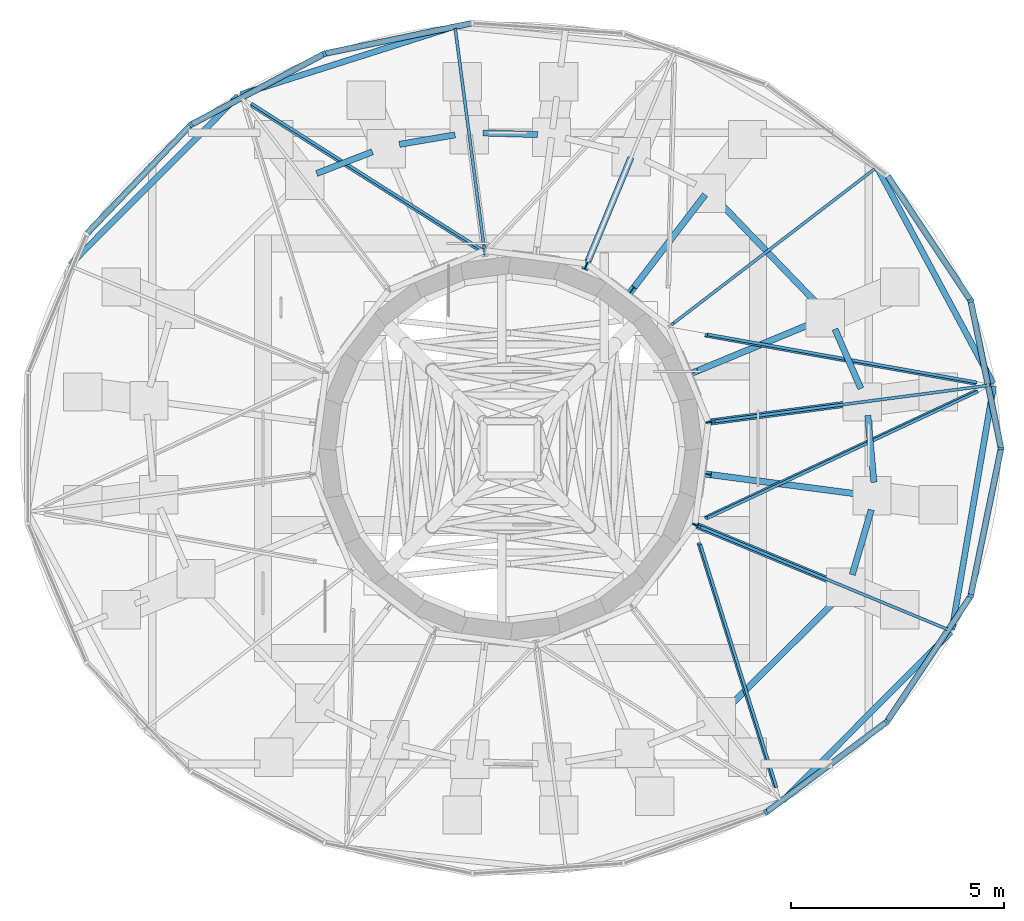
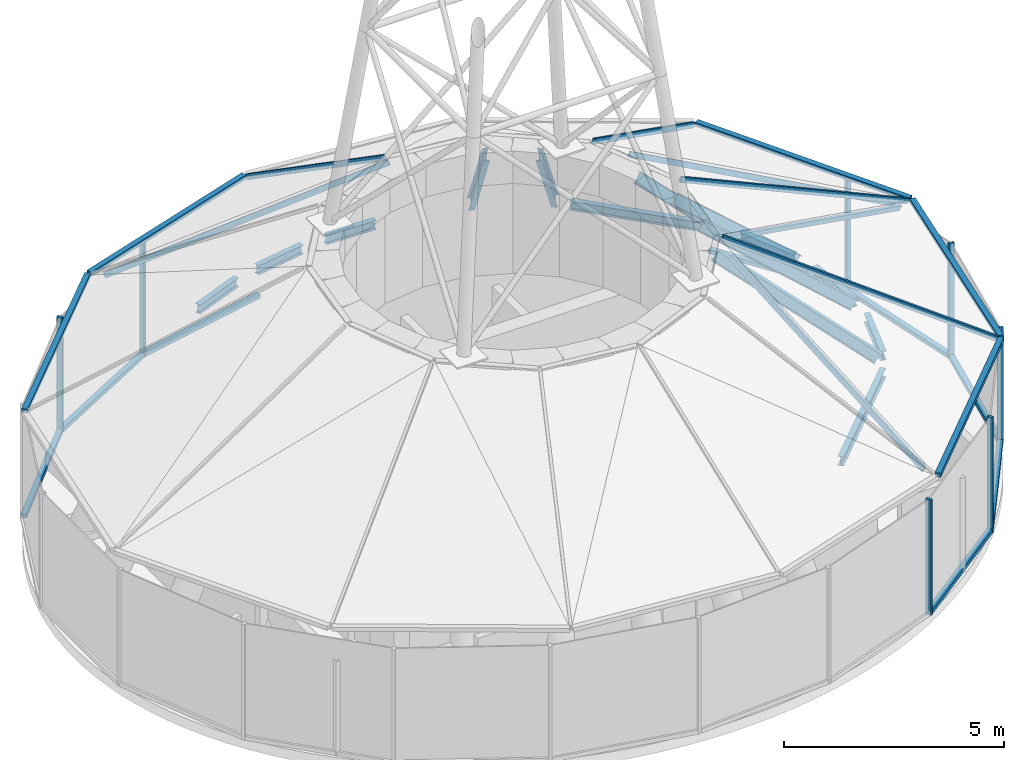
# One storey, part 4 of 10: 34 members, 8 beams, 12 elements without a shape of their own.
"""IFC4 building model written with IfcOpenShell, lengths in metres."""

from ifc_helpers import new_model, si_unit, direction, frame, origin, origin_2d, place, context, subcontext, project, spatial, rectangle, i_section, extrude, source, transform, mapped, material, layer, layer_set, material_profile, profile_set, type_object, element, aggregate, save


model = new_model("IFC4")

# Units and contexts
model_context = context("Model", 3, precision=1e-05, world=origin(), true_north=direction((0.0, 1.0)))
body_context = subcontext(model_context, "Body", "Model", "MODEL_VIEW")
ifc_project = project(units=[si_unit("LENGTHUNIT", "METRE"), si_unit("AREAUNIT", "SQUARE_METRE"), si_unit("VOLUMEUNIT", "CUBIC_METRE"), si_unit("PLANEANGLEUNIT", "RADIAN"), si_unit("MASSUNIT", "GRAM", prefix="KILO")], contexts=[model_context])

# Site, building, storey
site_placement = place(None, origin())
site = spatial("IfcSite", under=ifc_project, at=site_placement, CompositionType="ELEMENT")
building_placement = place(site_placement, origin())
building = spatial("IfcBuilding", under=site, at=building_placement, Name="Spindrift Exchange Tower", CompositionType="ELEMENT")
storey_placement = place(building_placement, frame((0.0, 0.0, 287.10009765625)))
storey = spatial("IfcBuildingStorey", under=building, at=storey_placement, Name="L71", CompositionType="ELEMENT", Elevation=287.10009765625)

# Beams
ifc_material_1 = material(Name="Steel Grade 300", Category="steel")
ifc_material_profile_1 = material_profile(ifc_material_1, i_section(OverallWidth=0.14599609375, OverallDepth=0.251953125, WebThickness=0.006103515625, FlangeThickness=0.008544921875, FilletRadius=0.011962890625, at=origin_2d()), Name="250UB31.4")
ifc_profile_set_1 = profile_set([ifc_material_profile_1], Name="Steel Grade 300")
beam_type = type_object("IfcBeamType", Name="Edge Beam 250UB31.4 Steel Grade 300", PredefinedType="SPANDREL", material=ifc_profile_set_1)
shared_shape_1 = source(origin(), body_context, "Body", "SweptSolid", [
    extrude(i_section(OverallWidth=0.14599609375, OverallDepth=0.251953125, WebThickness=0.006103515625, FlangeThickness=0.008544921875, FilletRadius=0.011962890625, at=origin_2d()), origin(), (0.0, 0.0, 1.0), 1.51904296875),
])
beam_1_placement = place(storey_placement, frame((60.214111328125, 49.4013671875, 3.073974609375), z_axis=(-0.399865903217, 0.916573651948, 0.0), x_axis=(-0.916573651948, -0.399865903217, 0.0)))
element("IfcBeam", 1, at=beam_1_placement, inside=storey, type_object=beam_type, Name="L71 edge beam E01", PredefinedType="SPANDREL", context=body_context, shape_type="MappedRepresentation", body=[
    mapped(shared_shape_1, transform((0.0, 0.0, 0.0), scale=1.0)),
])
shared_shape_2 = source(origin(), body_context, "Body", "SweptSolid", [
    extrude(i_section(OverallWidth=0.14599609375, OverallDepth=0.251953125, WebThickness=0.006103515625, FlangeThickness=0.008544921875, FilletRadius=0.011962890625, at=origin_2d()), origin(), (0.0, 0.0, 1.0), 3.4306640625),
])
beam_2_placement = place(storey_placement, frame((59.24560546875, 51.333740234375, 3.073974609375), z_axis=(-0.69407235193, 0.719905250909, 0.0), x_axis=(-0.719905250909, -0.69407235193, 0.0)))
element("IfcBeam", 2, at=beam_2_placement, inside=storey, type_object=beam_type, Name="L71 edge beam E02", PredefinedType="SPANDREL", context=body_context, shape_type="MappedRepresentation", body=[
    mapped(shared_shape_2, transform((0.0, 0.0, 0.0), scale=1.0)),
])
shared_shape_3 = source(origin(), body_context, "Body", "SweptSolid", [
    extrude(i_section(OverallWidth=0.14599609375, OverallDepth=0.251953125, WebThickness=0.006103515625, FlangeThickness=0.008544921875, FilletRadius=0.011962890625, at=origin_2d()), origin(), (0.0, 0.0, 1.0), 1.28271484375),
])
beam_3_placement = place(storey_placement, frame((52.637451171875, 55.3564453125, 3.073974609375), z_axis=(-0.999575940192, 0.029119405722, 0.0), x_axis=(-0.029119405722, -0.999575940192, 0.0)))
element("IfcBeam", 3, at=beam_3_placement, inside=storey, type_object=beam_type, Name="L71 edge beam E06", PredefinedType="SPANDREL", context=body_context, shape_type="MappedRepresentation", body=[
    mapped(shared_shape_3, transform((0.0, 0.0, 0.0), scale=1.0)),
])
shared_shape_4 = source(origin(), body_context, "Body", "SweptSolid", [
    extrude(i_section(OverallWidth=0.14599609375, OverallDepth=0.251953125, WebThickness=0.006103515625, FlangeThickness=0.008544921875, FilletRadius=0.011962890625, at=origin_2d()), origin(), (0.0, 0.0, 1.0), 1.322509765625),
])
beam_4_placement = place(storey_placement, frame((50.699951171875, 55.348388671875, 3.073974609375), z_axis=(-0.985946289038, -0.167062608421, 0.0), x_axis=(0.167062608421, -0.985946289038, 0.0)))
element("IfcBeam", 4, at=beam_4_placement, inside=storey, type_object=beam_type, Name="L71 edge beam E07", PredefinedType="SPANDREL", context=body_context, shape_type="MappedRepresentation", body=[
    mapped(shared_shape_4, transform((0.0, 0.0, 0.0), scale=1.0)),
])
shared_shape_5 = source(origin(), body_context, "Body", "SweptSolid", [
    extrude(i_section(OverallWidth=0.14599609375, OverallDepth=0.251953125, WebThickness=0.006103515625, FlangeThickness=0.008544921875, FilletRadius=0.011962890625, at=origin_2d()), origin(), (0.0, 0.0, 1.0), 1.4033203125),
])
beam_5_placement = place(storey_placement, frame((48.762939453125, 54.95263671875, 3.073974609375), z_axis=(-0.931903430628, -0.362706487374, 0.0), x_axis=(0.362706487374, -0.931903430628, 0.0)))
element("IfcBeam", 5, at=beam_5_placement, inside=storey, type_object=beam_type, Name="L71 edge beam E08", PredefinedType="SPANDREL", context=body_context, shape_type="MappedRepresentation", body=[
    mapped(shared_shape_5, transform((0.0, 0.0, 0.0), scale=1.0)),
])
shared_shape_6 = source(origin(), body_context, "Body", "SweptSolid", [
    extrude(i_section(OverallWidth=0.14599609375, OverallDepth=0.251953125, WebThickness=0.006103515625, FlangeThickness=0.008544921875, FilletRadius=0.011962890625, at=origin_2d()), origin(), (0.0, 0.0, 1.0), 3.66064453125),
])
beam_6_placement = place(storey_placement, frame((57.08642578125, 41.90869140625, 3.073974609375), z_axis=(0.709703107954, 0.704500886131, 0.0), x_axis=(-0.704500886131, 0.709703107954, 0.0)))
element("IfcBeam", 6, at=beam_6_placement, inside=storey, type_object=beam_type, Name="L71 edge beam E21", PredefinedType="SPANDREL", context=body_context, shape_type="MappedRepresentation", body=[
    mapped(shared_shape_6, transform((0.0, 0.0, 0.0), scale=1.0)),
])
shared_shape_7 = source(origin(), body_context, "Body", "SweptSolid", [
    extrude(i_section(OverallWidth=0.14599609375, OverallDepth=0.251953125, WebThickness=0.006103515625, FlangeThickness=0.008544921875, FilletRadius=0.011962890625, at=origin_2d()), origin(), (0.0, 0.0, 1.0), 1.585205078125),
])
beam_7_placement = place(storey_placement, frame((60.01171875, 45.03662109375, 3.073974609375), z_axis=(0.281832788622, 0.959463537221, 0.0), x_axis=(-0.959463537221, 0.281832788622, 0.0)))
element("IfcBeam", 7, at=beam_7_placement, inside=storey, type_object=beam_type, Name="L71 edge beam E23", PredefinedType="SPANDREL", context=body_context, shape_type="MappedRepresentation", body=[
    mapped(shared_shape_7, transform((0.0, 0.0, 0.0), scale=1.0)),
])
shared_shape_8 = source(origin(), body_context, "Body", "SweptSolid", [
    extrude(i_section(OverallWidth=0.14599609375, OverallDepth=0.251953125, WebThickness=0.006103515625, FlangeThickness=0.008544921875, FilletRadius=0.011962890625, at=origin_2d()), origin(), (0.0, 0.0, 1.0), 1.57421875),
])
beam_8_placement = place(storey_placement, frame((60.52099609375, 47.20263671875, 3.073974609375), z_axis=(-0.091961871933, 0.995762528975, 0.0), x_axis=(-0.995762528975, -0.091961871933, 0.0)))
element("IfcBeam", 8, at=beam_8_placement, inside=storey, type_object=beam_type, Name="L71 edge beam E24", PredefinedType="SPANDREL", context=body_context, shape_type="MappedRepresentation", body=[
    mapped(shared_shape_8, transform((0.0, 0.0, 0.0), scale=1.0)),
])

# Members
ifc_material_profile_2 = material_profile(ifc_material_1, i_section(OverallWidth=0.14892578125, OverallDepth=0.298095703125, WebThickness=0.005615234375, FlangeThickness=0.008056640625, FilletRadius=0.012939453125, at=origin_2d()), Name="310UB32.0")
ifc_profile_set_2 = profile_set([ifc_material_profile_2], Name="Steel Grade 300")
member_type_1 = type_object("IfcMemberType", Name="Crown Rafter 310UB32.0 Steel Grade 300", PredefinedType="RAFTER", material=ifc_profile_set_2)
shared_shape_9 = source(origin(), body_context, "Body", "SweptSolid", [
    extrude(i_section(OverallWidth=0.14892578125, OverallDepth=0.298095703125, WebThickness=0.005615234375, FlangeThickness=0.008056640625, FilletRadius=0.012939453125, at=origin_2d()), origin(), (0.0, 0.0, 1.0), 4.74365234375),
])
member_1_placement = place(storey_placement, frame((60.081787109375, 49.06396484375, 3.25), z_axis=(-0.731876045923, -0.096348238957, 0.674592076928), x_axis=(0.130519440536, -0.991445750226, 0.0)))
element("IfcMember", 9, at=member_1_placement, inside=storey, type_object=member_type_1, Name="Crown rafter 01", PredefinedType="RAFTER", context=body_context, shape_type="MappedRepresentation", body=[
    mapped(shared_shape_9, transform((0.0, 0.0, 0.0), scale=1.0)),
])
shared_shape_10 = source(origin(), body_context, "Body", "SweptSolid", [
    extrude(i_section(OverallWidth=0.14892578125, OverallDepth=0.298095703125, WebThickness=0.005615234375, FlangeThickness=0.008056640625, FilletRadius=0.012939453125, at=origin_2d()), origin(), (0.0, 0.0, 1.0), 4.49365234375),
])
member_2_placement = place(storey_placement, frame((59.210693359375, 50.98681640625, 3.25), z_axis=(-0.64864205002, -0.268660267807, 0.712099116309), x_axis=(0.382663899488, -0.923887623052, 0.0)))
element("IfcMember", 10, at=member_2_placement, inside=storey, type_object=member_type_1, Name="Crown rafter 02", PredefinedType="RAFTER", context=body_context, shape_type="MappedRepresentation", body=[
    mapped(shared_shape_10, transform((0.0, 0.0, 0.0), scale=1.0)),
])
shared_shape_11 = source(origin(), body_context, "Body", "SweptSolid", [
    extrude(i_section(OverallWidth=0.14892578125, OverallDepth=0.298095703125, WebThickness=0.005615234375, FlangeThickness=0.008056640625, FilletRadius=0.012939453125, at=origin_2d()), origin(), (0.0, 0.0, 1.0), 4.21044921875),
])
member_3_placement = place(storey_placement, frame((56.49658203125, 53.860107421875, 3.25), z_axis=(-0.395634671988, -0.515606551856, 0.760015190641), x_axis=(0.793356424583, -0.608757409461, 0.0)))
element("IfcMember", 11, at=member_3_placement, inside=storey, type_object=member_type_1, Name="Crown rafter 04", PredefinedType="RAFTER", context=body_context, shape_type="MappedRepresentation", body=[
    mapped(shared_shape_11, transform((0.0, 0.0, 0.0), scale=1.0)),
])
shared_shape_12 = source(origin(), body_context, "Body", "SweptSolid", [
    extrude(i_section(OverallWidth=0.14892578125, OverallDepth=0.298095703125, WebThickness=0.005615234375, FlangeThickness=0.008056640625, FilletRadius=0.012939453125, at=origin_2d()), origin(), (0.0, 0.0, 1.0), 4.13232421875),
])
member_4_placement = place(storey_placement, frame((54.780029296875, 54.71142578125, 3.25), z_axis=(-0.242117453198, -0.584555900913, 0.774385909973), x_axis=(0.923887092146, -0.382665181283, 0.0)))
element("IfcMember", 12, at=member_4_placement, inside=storey, type_object=member_type_1, Name="Crown rafter 05", PredefinedType="RAFTER", context=body_context, shape_type="MappedRepresentation", body=[
    mapped(shared_shape_12, transform((0.0, 0.0, 0.0), scale=1.0)),
])
shared_shape_13 = source(origin(), body_context, "Body", "SweptSolid", [
    extrude(i_section(OverallWidth=0.14892578125, OverallDepth=0.298095703125, WebThickness=0.005615234375, FlangeThickness=0.008056640625, FilletRadius=0.012939453125, at=origin_2d()), origin(), (0.0, 0.0, 1.0), 4.91650390625),
])
member_5_placement = place(storey_placement, frame((59.744384765625, 44.792236328125, 3.25), z_axis=(-0.701416729195, 0.290498255985, 0.650865066872), x_axis=(-0.382640634603, -0.923897258763, 0.0)))
element("IfcMember", 13, at=member_5_placement, inside=storey, type_object=member_type_1, Name="Crown rafter 23", PredefinedType="RAFTER", context=body_context, shape_type="MappedRepresentation", body=[
    mapped(shared_shape_13, transform((0.0, 0.0, 0.0), scale=1.0)),
])
shared_shape_14 = source(origin(), body_context, "Body", "SweptSolid", [
    extrude(i_section(OverallWidth=0.14892578125, OverallDepth=0.298095703125, WebThickness=0.005615234375, FlangeThickness=0.008056640625, FilletRadius=0.012939453125, at=origin_2d()), origin(), (0.0, 0.0, 1.0), 4.9306640625),
])
member_6_placement = place(storey_placement, frame((60.3291015625, 46.9033203125, 3.25), z_axis=(-0.754273656822, 0.099328625719, 0.649003139235), x_axis=(-0.130560579608, -0.991440333582, 0.0)))
element("IfcMember", 14, at=member_6_placement, inside=storey, type_object=member_type_1, Name="Crown rafter 24", PredefinedType="RAFTER", context=body_context, shape_type="MappedRepresentation", body=[
    mapped(shared_shape_14, transform((0.0, 0.0, 0.0), scale=1.0)),
])

# Curtain wall, members
ifc_material_2 = material(Name="Fritted laminated glass with bronze frame", Category="glass")
ifc_layer = layer(ifc_material_2, 0.139892578125)
ifc_layer_set = layer_set([ifc_layer], Name="CROWN BRONZE HOOD GLAZED ROOF")
curtain_wall_type = type_object("IfcCurtainWallType", Name="CROWN BRONZE HOOD GLAZED ROOF", PredefinedType="NOTDEFINED", material=ifc_layer_set)
curtain_wall_1_placement = place(storey_placement, origin())
curtain_wall_1 = element("IfcCurtainWall", 15, at=curtain_wall_1_placement, inside=storey, type_object=curtain_wall_type, Name="L71 Crown Bronze Hood Glazed Roof run 1", PredefinedType="NOTDEFINED")
ifc_material_3 = material(Name="Bronze anodised aluminium", Category="aluminium")
ifc_material_profile_3 = material_profile(ifc_material_3, rectangle(XDim=0.070068359375, YDim=0.139892578125, at=origin_2d()), Name="CROWN BRONZE HOOD GLAZED ROOF MULLION 70X140")
ifc_profile_set_3 = profile_set([ifc_material_profile_3], Name="Bronze anodised aluminium")
member_type_2 = type_object("IfcMemberType", Name="CROWN BRONZE HOOD GLAZED ROOF MULLION 70X140", PredefinedType="MULLION", material=ifc_profile_set_3)
shared_shape_15 = source(origin(), body_context, "Body", "SweptSolid", [
    extrude(rectangle(XDim=0.070068359375, YDim=0.139892578125, at=origin_2d()), origin(), (0.0, 0.0, 1.0), 3.199951171875),
])
member_7_placement = place(storey_placement, frame((63.5, 48.0, 0.0), z_axis=(0.0, 0.0, 1.0), x_axis=(0.0, 1.0, 0.0)))
member_7 = element("IfcMember", 16, at=member_7_placement, type_object=member_type_2, Name="L71 mullion CW-H.1", PredefinedType="MULLION", context=body_context, shape_type="MappedRepresentation", body=[
    mapped(shared_shape_15, transform((0.0, 0.0, 0.0), scale=1.0)),
])
member_8_placement = place(storey_placement, frame((62.788330078125, 51.462890625, 0.0), z_axis=(0.0, 0.0, 1.0), x_axis=(-0.384780222568, 0.923008223322, 0.0)))
member_8 = element("IfcMember", 17, at=member_8_placement, type_object=member_type_2, Name="L71 mullion CW-H.2", PredefinedType="MULLION", context=body_context, shape_type="MappedRepresentation", body=[
    mapped(shared_shape_15, transform((0.0, 0.0, 0.0), scale=1.0)),
])

curtain_wall_2_placement = place(storey_placement, origin())
curtain_wall_2 = element("IfcCurtainWall", 18, at=curtain_wall_2_placement, inside=storey, type_object=curtain_wall_type, Name="L71 Crown Bronze Hood Glazed Roof run 2", PredefinedType="NOTDEFINED")
member_9_placement = place(storey_placement, frame((47.63623046875, 57.252197265625, 0.0), z_axis=(0.0, 0.0, 1.0), x_axis=(-0.940549893905, -0.339655556519, 0.0)))
member_9 = element("IfcMember", 19, at=member_9_placement, type_object=member_type_2, Name="L71 mullion CW-H.7", PredefinedType="MULLION", context=body_context, shape_type="MappedRepresentation", body=[
    mapped(shared_shape_15, transform((0.0, 0.0, 0.0), scale=1.0)),
])
member_10_placement = place(storey_placement, frame((44.506103515625, 55.585205078125, 0.0), z_axis=(0.0, 0.0, 1.0), x_axis=(-0.797007145655, -0.60396987489, 0.0)))
member_10 = element("IfcMember", 20, at=member_10_placement, type_object=member_type_2, Name="L71 mullion CW-H.8", PredefinedType="MULLION", context=body_context, shape_type="MappedRepresentation", body=[
    mapped(shared_shape_15, transform((0.0, 0.0, 0.0), scale=1.0)),
])

curtain_wall_3_placement = place(storey_placement, origin())
curtain_wall_3 = element("IfcCurtainWall", 21, at=curtain_wall_3_placement, inside=storey, type_object=curtain_wall_type, Name="L71 Crown Bronze Hood Glazed Roof run 3", PredefinedType="NOTDEFINED")
member_11_placement = place(storey_placement, frame((57.9912109375, 39.46435546875, 0.0), z_axis=(0.0, 0.0, 1.0), x_axis=(0.8807084091, 0.473658841511, 0.0)))
member_11 = element("IfcMember", 22, at=member_11_placement, type_object=member_type_2, Name="L71 mullion CW-H.17", PredefinedType="MULLION", context=body_context, shape_type="MappedRepresentation", body=[
    mapped(shared_shape_15, transform((0.0, 0.0, 0.0), scale=1.0)),
])
member_12_placement = place(storey_placement, frame((60.8271484375, 41.59033203125, 0.0), z_axis=(0.0, 0.0, 1.0), x_axis=(0.687018315312, 0.726640099654, 0.0)))
member_12 = element("IfcMember", 23, at=member_12_placement, type_object=member_type_2, Name="L71 mullion CW-H.18", PredefinedType="MULLION", context=body_context, shape_type="MappedRepresentation", body=[
    mapped(shared_shape_15, transform((0.0, 0.0, 0.0), scale=1.0)),
])
member_13_placement = place(storey_placement, frame((62.788330078125, 44.537109375, 0.0), z_axis=(0.0, 0.0, 1.0), x_axis=(0.384780222568, 0.923008223322, 0.0)))
member_13 = element("IfcMember", 24, at=member_13_placement, type_object=member_type_2, Name="L71 mullion CW-H.19", PredefinedType="MULLION", context=body_context, shape_type="MappedRepresentation", body=[
    mapped(shared_shape_15, transform((0.0, 0.0, 0.0), scale=1.0)),
])

# Member
ifc_material_profile_4 = material_profile(ifc_material_3, rectangle(XDim=0.139892578125, YDim=0.110107421875, at=origin_2d()), Name="CROWN BRONZE HOOD GLAZED ROOF TRANSOM 140X110")
ifc_profile_set_4 = profile_set([ifc_material_profile_4], Name="Bronze anodised aluminium")
member_type_3 = type_object("IfcMemberType", Name="CROWN BRONZE HOOD GLAZED ROOF TRANSOM 140X110", PredefinedType="USERDEFINED", material=ifc_profile_set_4)
shared_shape_16 = source(origin(), body_context, "Body", "SweptSolid", [
    extrude(rectangle(XDim=0.139892578125, YDim=0.110107421875, at=origin_2d()), origin(), (0.0, 0.0, 1.0), 3.46533203125),
])
member_14_placement = place(storey_placement, frame((63.492919921875, 48.0341796875, 0.054931640625), z_axis=(-0.20127522432, 0.979534728366, 0.0), x_axis=(-0.979534728366, -0.20127522432, 0.0)))
member_14 = element("IfcMember", 25, at=member_14_placement, type_object=member_type_3, Name="L71 transom CW-H.1", ObjectType="TRANSOM", PredefinedType="USERDEFINED", context=body_context, shape_type="MappedRepresentation", body=[
    mapped(shared_shape_16, transform((0.0, 0.0, 0.0), scale=1.0)),
])

member_15_placement = place(storey_placement, frame((62.79541015625, 44.5712890625, 0.054931640625), z_axis=(0.20127522432, 0.979534728366, 0.0), x_axis=(-0.979534728366, 0.20127522432, 0.0)))
member_15 = element("IfcMember", 26, at=member_15_placement, type_object=member_type_3, Name="L71 transom CW-H.19", ObjectType="TRANSOM", PredefinedType="USERDEFINED", context=body_context, shape_type="MappedRepresentation", body=[
    mapped(shared_shape_16, transform((0.0, 0.0, 0.0), scale=1.0)),
])

shared_shape_17 = source(origin(), body_context, "Body", "SweptSolid", [
    extrude(rectangle(XDim=0.139892578125, YDim=0.110107421875, at=origin_2d()), origin(), (0.0, 0.0, 1.0), 3.469482421875),
])
member_16_placement = place(storey_placement, frame((62.76904296875, 51.4921875, 0.054931640625), z_axis=(-0.554131726589, 0.832428993721, 0.0), x_axis=(-0.832428993721, -0.554131726589, 0.0)))
member_16 = element("IfcMember", 27, at=member_16_placement, type_object=member_type_3, Name="L71 transom CW-H.2", ObjectType="TRANSOM", PredefinedType="USERDEFINED", context=body_context, shape_type="MappedRepresentation", body=[
    mapped(shared_shape_17, transform((0.0, 0.0, 0.0), scale=1.0)),
])

member_17_placement = place(storey_placement, frame((60.846435546875, 41.61962890625, 0.054931640625), z_axis=(0.554131726589, 0.832428993721, 0.0), x_axis=(-0.832428993721, 0.554131726589, 0.0)))
member_17 = element("IfcMember", 28, at=member_17_placement, type_object=member_type_3, Name="L71 transom CW-H.18", ObjectType="TRANSOM", PredefinedType="USERDEFINED", context=body_context, shape_type="MappedRepresentation", body=[
    mapped(shared_shape_17, transform((0.0, 0.0, 0.0), scale=1.0)),
])

shared_shape_18 = source(origin(), body_context, "Body", "SweptSolid", [
    extrude(rectangle(XDim=0.139892578125, YDim=0.110107421875, at=origin_2d()), origin(), (0.0, 0.0, 1.0), 3.47412109375),
])
member_18_placement = place(storey_placement, frame((58.019287109375, 39.4853515625, 0.054931640625), z_axis=(0.800118041629, 0.599842578899, 0.0), x_axis=(-0.599842578899, 0.800118041629, 0.0)))
member_18 = element("IfcMember", 29, at=member_18_placement, type_object=member_type_3, Name="L71 transom CW-H.17", ObjectType="TRANSOM", PredefinedType="USERDEFINED", context=body_context, shape_type="MappedRepresentation", body=[
    mapped(shared_shape_18, transform((0.0, 0.0, 0.0), scale=1.0)),
])

aggregate(curtain_wall_3, [member_11, member_18, member_12, member_17, member_13, member_15])

shared_shape_19 = source(origin(), body_context, "Body", "SweptSolid", [
    extrude(rectangle(XDim=0.139892578125, YDim=0.110107421875, at=origin_2d()), origin(), (0.0, 0.0, 1.0), 3.47802734375),
])
member_19_placement = place(storey_placement, frame((51.076416015625, 57.963134765625, 0.054931640625), z_axis=(-0.979307937099, -0.202375799775, 0.0), x_axis=(0.202375799775, -0.979307937099, 0.0)))
member_19 = element("IfcMember", 30, at=member_19_placement, type_object=member_type_3, Name="L71 transom CW-H.6", ObjectType="TRANSOM", PredefinedType="USERDEFINED", context=body_context, shape_type="MappedRepresentation", body=[
    mapped(shared_shape_19, transform((0.0, 0.0, 0.0), scale=1.0)),
])

aggregate(curtain_wall_1, [member_7, member_14, member_8, member_16, member_19])

shared_shape_20 = source(origin(), body_context, "Body", "SweptSolid", [
    extrude(rectangle(XDim=0.139892578125, YDim=0.110107421875, at=origin_2d()), origin(), (0.0, 0.0, 1.0), 3.47607421875),
])
member_20_placement = place(storey_placement, frame((47.605224609375, 57.235595703125, 0.054931640625), z_axis=(-0.88265606086, -0.47001944452, 0.0), x_axis=(0.47001944452, -0.88265606086, 0.0)))
member_20 = element("IfcMember", 31, at=member_20_placement, type_object=member_type_3, Name="L71 transom CW-H.7", ObjectType="TRANSOM", PredefinedType="USERDEFINED", context=body_context, shape_type="MappedRepresentation", body=[
    mapped(shared_shape_20, transform((0.0, 0.0, 0.0), scale=1.0)),
])

shared_shape_21 = source(origin(), body_context, "Body", "SweptSolid", [
    extrude(rectangle(XDim=0.139892578125, YDim=0.110107421875, at=origin_2d()), origin(), (0.0, 0.0, 1.0), 3.47216796875),
])
member_21_placement = place(storey_placement, frame((44.48193359375, 55.56005859375, 0.054931640625), z_axis=(-0.691181136991, -0.722681559104, 0.0), x_axis=(0.722681559104, -0.691181136991, 0.0)))
member_21 = element("IfcMember", 32, at=member_21_placement, type_object=member_type_3, Name="L71 transom CW-H.8", ObjectType="TRANSOM", PredefinedType="USERDEFINED", context=body_context, shape_type="MappedRepresentation", body=[
    mapped(shared_shape_21, transform((0.0, 0.0, 0.0), scale=1.0)),
])

aggregate(curtain_wall_2, [member_9, member_20, member_10, member_21])

# Curtain wall, member
curtain_wall_4_placement = place(storey_placement, origin())
curtain_wall_4 = element("IfcCurtainWall", 33, at=curtain_wall_4_placement, inside=storey, type_object=curtain_wall_type, Name="L71 Crown Bronze Hood Glazed Roof facet 1", PredefinedType="NOTDEFINED")
shared_shape_22 = source(origin(), body_context, "Body", "SweptSolid", [
    extrude(rectangle(XDim=0.139892578125, YDim=0.110107421875, at=origin_2d()), origin(), (0.0, 0.0, 1.0), 5.7197265625),
])
member_22_placement = place(storey_placement, frame((63.314208984375, 49.5224609375, 3.554931640625), z_axis=(-0.473229088168, 0.880939402066, 0.0), x_axis=(-0.880939402066, -0.473229088168, 0.0)))
member_22 = element("IfcMember", 34, at=member_22_placement, type_object=member_type_3, Name="L71 transom CW-H.1a", ObjectType="TRANSOM", PredefinedType="USERDEFINED", context=body_context, shape_type="MappedRepresentation", body=[
    mapped(shared_shape_22, transform((0.0, 0.0, 0.0), scale=1.0)),
])

curtain_wall_5_placement = place(storey_placement, origin())
curtain_wall_5 = element("IfcCurtainWall", 35, at=curtain_wall_5_placement, inside=storey, type_object=curtain_wall_type, Name="L71 Crown Bronze Hood Glazed Roof facet 2", PredefinedType="NOTDEFINED")
shared_shape_23 = source(origin(), body_context, "Body", "SweptSolid", [
    extrude(rectangle(XDim=0.070068359375, YDim=0.139892578125, at=origin_2d()), origin(), (0.0, 0.0, 1.0), 7.333251953125),
])
member_23_placement = place(storey_placement, frame((63.2119140625, 49.47607421875, 3.56201171875), z_axis=(-0.880149334651, -0.115890601578, 0.460333050279), x_axis=(0.130544731461, -0.99144242046, 0.0)))
member_23 = element("IfcMember", 36, at=member_23_placement, type_object=member_type_2, Name="L71 mullion CW-H.1", PredefinedType="MULLION", context=body_context, shape_type="MappedRepresentation", body=[
    mapped(shared_shape_23, transform((0.0, 0.0, 0.0), scale=1.0)),
])
aggregate(curtain_wall_5, [member_23])

# Member
shared_shape_24 = source(origin(), body_context, "Body", "SweptSolid", [
    extrude(rectangle(XDim=0.070068359375, YDim=0.139892578125, at=origin_2d()), origin(), (0.0, 0.0, 1.0), 7.041748046875),
])
member_24_placement = place(storey_placement, frame((62.901611328125, 49.532470703125, 3.563720703125), z_axis=(-0.897031477919, 0.159727283994, 0.41209431247), x_axis=(-0.053572906852, -0.964831511166, 0.257352090943)))
member_24 = element("IfcMember", 37, at=member_24_placement, type_object=member_type_2, Name="L71 glazing bar CW-H.1", PredefinedType="MULLION", context=body_context, shape_type="MappedRepresentation", body=[
    mapped(shared_shape_24, transform((0.0, 0.0, 0.0), scale=1.0)),
])

aggregate(curtain_wall_4, [member_22, member_24])

# Curtain wall, member
curtain_wall_6_placement = place(storey_placement, origin())
curtain_wall_6 = element("IfcCurtainWall", 38, at=curtain_wall_6_placement, inside=storey, type_object=curtain_wall_type, Name="L71 Crown Bronze Hood Glazed Roof facet 3", PredefinedType="NOTDEFINED")
shared_shape_25 = source(origin(), body_context, "Body", "SweptSolid", [
    extrude(rectangle(XDim=0.070068359375, YDim=0.139892578125, at=origin_2d()), origin(), (0.0, 0.0, 1.0), 6.830078125),
])
member_25_placement = place(storey_placement, frame((60.506103515625, 54.52685546875, 3.560791015625), z_axis=(-0.689516342201, -0.529058132759, 0.494635932783), x_axis=(0.608742334892, -0.793367991357, 0.0)))
member_25 = element("IfcMember", 39, at=member_25_placement, type_object=member_type_2, Name="L71 mullion CW-H.2", PredefinedType="MULLION", context=body_context, shape_type="MappedRepresentation", body=[
    mapped(shared_shape_25, transform((0.0, 0.0, 0.0), scale=1.0)),
])
aggregate(curtain_wall_6, [member_25])

# Curtain wall, members
curtain_wall_7_placement = place(storey_placement, origin())
curtain_wall_7 = element("IfcCurtainWall", 40, at=curtain_wall_7_placement, inside=storey, type_object=curtain_wall_type, Name="L71 Crown Bronze Hood Glazed Roof facet 7", PredefinedType="NOTDEFINED")
shared_shape_26 = source(origin(), body_context, "Body", "SweptSolid", [
    extrude(rectangle(XDim=0.139892578125, YDim=0.110107421875, at=origin_2d()), origin(), (0.0, 0.0, 1.0), 5.2353515625),
])
member_26_placement = place(storey_placement, frame((45.675048828125, 56.297119140625, 3.554931640625), z_axis=(0.952908629966, 0.303257552152, 0.0), x_axis=(-0.303257552152, 0.952908629966, 0.0)))
member_26 = element("IfcMember", 41, at=member_26_placement, type_object=member_type_3, Name="L71 transom CW-H.4a", ObjectType="TRANSOM", PredefinedType="USERDEFINED", context=body_context, shape_type="MappedRepresentation", body=[
    mapped(shared_shape_26, transform((0.0, 0.0, 0.0), scale=1.0)),
])
shared_shape_27 = source(origin(), body_context, "Body", "SweptSolid", [
    extrude(rectangle(XDim=0.070068359375, YDim=0.139892578125, at=origin_2d()), origin(), (0.0, 0.0, 1.0), 6.14111328125),
])
member_27_placement = place(storey_placement, frame((50.708740234375, 57.8076171875, 3.558349609375), z_axis=(0.108930606925, -0.827435299975, 0.550894678891), x_axis=(0.991445375687, 0.130522285561, 0.0)))
member_27 = element("IfcMember", 42, at=member_27_placement, type_object=member_type_2, Name="L71 mullion CW-H.4", PredefinedType="MULLION", context=body_context, shape_type="MappedRepresentation", body=[
    mapped(shared_shape_27, transform((0.0, 0.0, 0.0), scale=1.0)),
])
aggregate(curtain_wall_7, [member_26, member_27])

# Curtain wall, member
curtain_wall_8_placement = place(storey_placement, origin())
curtain_wall_8 = element("IfcCurtainWall", 43, at=curtain_wall_8_placement, inside=storey, type_object=curtain_wall_type, Name="L71 Crown Bronze Hood Glazed Roof facet 8", PredefinedType="NOTDEFINED")
shared_shape_28 = source(origin(), body_context, "Body", "SweptSolid", [
    extrude(rectangle(XDim=0.070068359375, YDim=0.139892578125, at=origin_2d()), origin(), (0.0, 0.0, 1.0), 7.270751953125),
])
member_28_placement = place(storey_placement, frame((45.937744140625, 56.0498046875, 3.562255859375), z_axis=(0.750887091706, -0.476549038793, 0.457241281091), x_axis=(0.633600630143, 0.71514065943, -0.295167882252)))
member_28 = element("IfcMember", 44, at=member_28_placement, type_object=member_type_2, Name="L71 glazing bar CW-H.4", PredefinedType="MULLION", context=body_context, shape_type="MappedRepresentation", body=[
    mapped(shared_shape_28, transform((0.0, 0.0, 0.0), scale=1.0)),
])
aggregate(curtain_wall_8, [member_28])

curtain_wall_9_placement = place(storey_placement, origin())
curtain_wall_9 = element("IfcCurtainWall", 45, at=curtain_wall_9_placement, inside=storey, type_object=curtain_wall_type, Name="L71 Crown Bronze Hood Glazed Roof facet 9", PredefinedType="NOTDEFINED")
shared_shape_29 = source(origin(), body_context, "Body", "SweptSolid", [
    extrude(rectangle(XDim=0.139892578125, YDim=0.110107421875, at=origin_2d()), origin(), (0.0, 0.0, 1.0), 5.57861328125),
])
member_29_placement = place(storey_placement, frame((45.616943359375, 56.26171875, 3.554931640625), z_axis=(-0.705814585131, -0.708396620133, 0.0), x_axis=(0.708396620133, -0.705814585131, 0.0)))
member_29 = element("IfcMember", 46, at=member_29_placement, type_object=member_type_3, Name="L71 transom CW-H.5a", ObjectType="TRANSOM", PredefinedType="USERDEFINED", context=body_context, shape_type="MappedRepresentation", body=[
    mapped(shared_shape_29, transform((0.0, 0.0, 0.0), scale=1.0)),
])
aggregate(curtain_wall_9, [member_29])

# Curtain wall, members
curtain_wall_10_placement = place(storey_placement, origin())
curtain_wall_10 = element("IfcCurtainWall", 47, at=curtain_wall_10_placement, inside=storey, type_object=curtain_wall_type, Name="L71 Crown Bronze Hood Glazed Roof facet 21", PredefinedType="NOTDEFINED")
member_30_placement = place(storey_placement, frame((58.383056640625, 39.73828125, 3.554931640625), z_axis=(0.705814585131, 0.708396620133, 0.0), x_axis=(-0.708396620133, 0.705814585131, 0.0)))
member_30 = element("IfcMember", 48, at=member_30_placement, type_object=member_type_3, Name="L71 transom CW-H.11a", ObjectType="TRANSOM", PredefinedType="USERDEFINED", context=body_context, shape_type="MappedRepresentation", body=[
    mapped(shared_shape_29, transform((0.0, 0.0, 0.0), scale=1.0)),
])
shared_shape_30 = source(origin(), body_context, "Body", "SweptSolid", [
    extrude(rectangle(XDim=0.070068359375, YDim=0.139892578125, at=origin_2d()), origin(), (0.0, 0.0, 1.0), 6.70849609375),
])
member_31_placement = place(storey_placement, frame((58.212158203125, 40.068115234375, 3.562255859375), z_axis=(-0.265958883871, 0.848644665161, 0.457239657493), x_axis=(-0.881922518192, -0.405710317158, 0.240024603857)))
member_31 = element("IfcMember", 49, at=member_31_placement, type_object=member_type_2, Name="L71 glazing bar CW-H.11", PredefinedType="MULLION", context=body_context, shape_type="MappedRepresentation", body=[
    mapped(shared_shape_30, transform((0.0, 0.0, 0.0), scale=1.0)),
])
aggregate(curtain_wall_10, [member_30, member_31])

curtain_wall_11_placement = place(storey_placement, origin())
curtain_wall_11 = element("IfcCurtainWall", 50, at=curtain_wall_11_placement, inside=storey, type_object=curtain_wall_type, Name="L71 Crown Bronze Hood Glazed Roof facet 23", PredefinedType="NOTDEFINED")
shared_shape_31 = source(origin(), body_context, "Body", "SweptSolid", [
    extrude(rectangle(XDim=0.139892578125, YDim=0.110107421875, at=origin_2d()), origin(), (0.0, 0.0, 1.0), 5.790283203125),
])
member_32_placement = place(storey_placement, frame((63.32470703125, 49.457275390625, 3.554931640625), z_axis=(-0.168151566699, -0.985761152925, 0.0), x_axis=(0.985761152925, -0.168151566699, 0.0)))
member_32 = element("IfcMember", 51, at=member_32_placement, type_object=member_type_3, Name="L71 transom CW-H.12a", ObjectType="TRANSOM", PredefinedType="USERDEFINED", context=body_context, shape_type="MappedRepresentation", body=[
    mapped(shared_shape_31, transform((0.0, 0.0, 0.0), scale=1.0)),
])
shared_shape_32 = source(origin(), body_context, "Body", "SweptSolid", [
    extrude(rectangle(XDim=0.070068359375, YDim=0.139892578125, at=origin_2d()), origin(), (0.0, 0.0, 1.0), 7.13818359375),
])
member_33_placement = place(storey_placement, frame((62.239013671875, 43.7587890625, 3.5615234375), z_axis=(-0.813970925953, 0.337162292031, 0.473046425348), x_axis=(-0.382687787259, -0.923877728643, 0.0)))
member_33 = element("IfcMember", 52, at=member_33_placement, type_object=member_type_2, Name="L71 mullion CW-H.12", PredefinedType="MULLION", context=body_context, shape_type="MappedRepresentation", body=[
    mapped(shared_shape_32, transform((0.0, 0.0, 0.0), scale=1.0)),
])
aggregate(curtain_wall_11, [member_32, member_33])

# Curtain wall, member
curtain_wall_12_placement = place(storey_placement, origin())
curtain_wall_12 = element("IfcCurtainWall", 53, at=curtain_wall_12_placement, inside=storey, type_object=curtain_wall_type, Name="L71 Crown Bronze Hood Glazed Roof facet 24", PredefinedType="NOTDEFINED")
shared_shape_33 = source(origin(), body_context, "Body", "SweptSolid", [
    extrude(rectangle(XDim=0.070068359375, YDim=0.139892578125, at=origin_2d()), origin(), (0.0, 0.0, 1.0), 7.685302734375),
])
member_34_placement = place(storey_placement, frame((62.92626953125, 49.338623046875, 3.563720703125), z_axis=(-0.825129318524, -0.386451765606, 0.412088146604), x_axis=(0.310093985463, -0.919539880305, -0.241429345166)))
member_34 = element("IfcMember", 54, at=member_34_placement, type_object=member_type_2, Name="L71 glazing bar CW-H.12", PredefinedType="MULLION", context=body_context, shape_type="MappedRepresentation", body=[
    mapped(shared_shape_33, transform((0.0, 0.0, 0.0), scale=1.0)),
])
aggregate(curtain_wall_12, [member_34])

save(model, "model.ifc")
